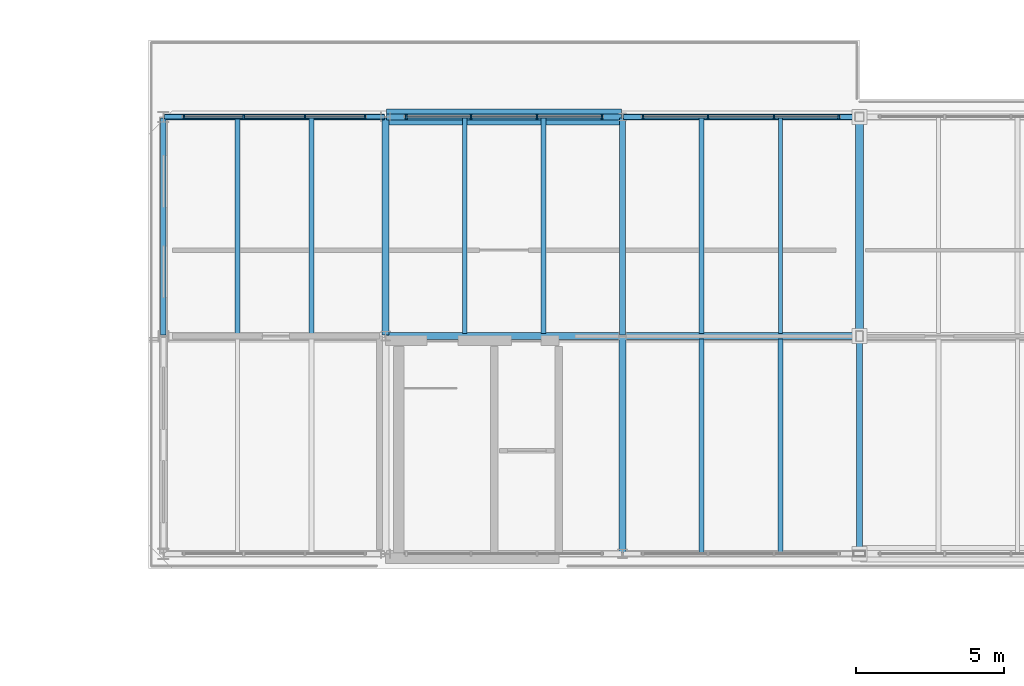
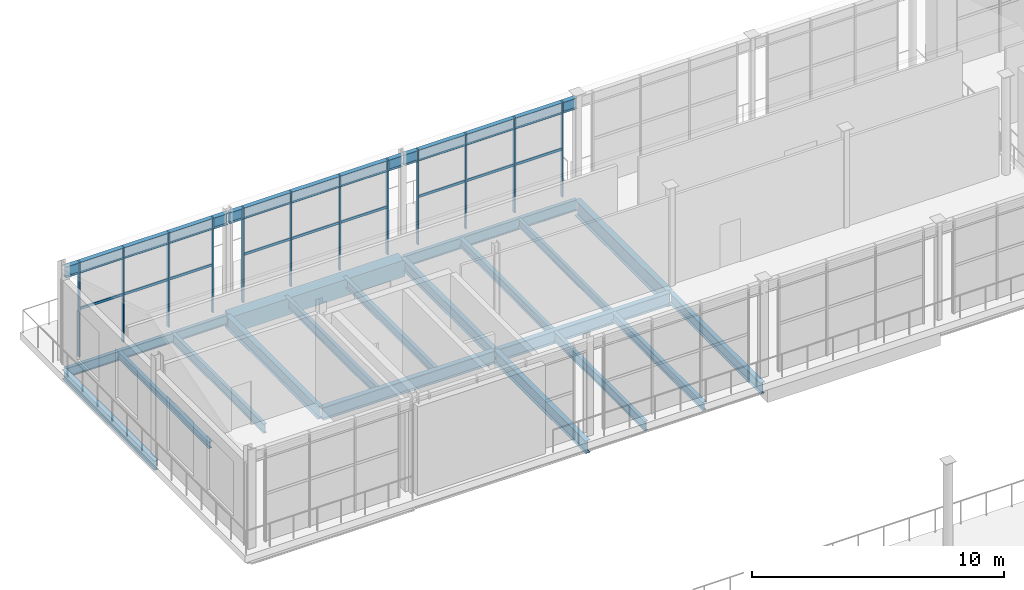
# One storey, part 43 of 93: 22 beams, 21 members, 3 elements without a shape of their own.
"""IFC4 building model written with IfcOpenShell, lengths in metres."""

from ifc_helpers import new_model, si_unit, direction, frame, origin, origin_2d, place, context, subcontext, project, spatial, rectangle, i_section, extrude, material, material_profile, profile_set, type_object, element, aggregate, save


model = new_model("IFC4")

# Units and contexts
model_context = context("Model", 3, precision=1e-05, world=origin(), true_north=direction((0.0, 1.0)))
body_context = subcontext(model_context, "Body", "Model", "MODEL_VIEW")
ifc_project = project(units=[si_unit("LENGTHUNIT", "METRE"), si_unit("AREAUNIT", "SQUARE_METRE"), si_unit("VOLUMEUNIT", "CUBIC_METRE"), si_unit("PLANEANGLEUNIT", "RADIAN"), si_unit("MASSUNIT", "GRAM", prefix="KILO")], contexts=[model_context])

# Site, building, storey
site_placement = place(None, origin())
site = spatial("IfcSite", under=ifc_project, at=site_placement, CompositionType="ELEMENT")
building_placement = place(site_placement, origin())
building = spatial("IfcBuilding", under=site, at=building_placement, Name="Brisemont Oceanarium", CompositionType="ELEMENT")
storey_placement = place(building_placement, frame((0.0, 0.0, 5.39990234375)))
storey = spatial("IfcBuildingStorey", under=building, at=storey_placement, Name="L01", CompositionType="ELEMENT", Elevation=5.39990234375)

# Beams
ifc_material_1 = material(Name="Concrete C40/50", Category="concrete")
ifc_material_profile_1 = material_profile(ifc_material_1, rectangle(XDim=0.550048828125, YDim=0.800048828125, at=origin_2d()), Name="RC-BM-550X800")
ifc_profile_set_1 = profile_set([ifc_material_profile_1], Name="Concrete C40/50")
beam_type_1 = type_object("IfcBeamType", Name="BM-RC550X800", PredefinedType="SPANDREL", material=ifc_profile_set_1)
beam_1_placement = place(storey_placement, frame((24.0400390625, 95.39990234375, -0.739990234375), z_axis=(1.0, 0.0, 0.0), x_axis=(0.0, 1.0, 0.0)))
element("IfcBeam", 1, at=beam_1_placement, inside=storey, type_object=beam_type_1, Name="V7W L01 EW girder", PredefinedType="SPANDREL", context=body_context, shape_type="SweptSolid", body=[
    extrude(rectangle(XDim=0.550048828125, YDim=0.800048828125, at=origin_2d()), origin(), (0.0, 0.0, 1.0), 7.919921875),
])
ifc_material_2 = material(Name="Structural Steel ASTM A992 Gr.50", Category="steel")
ifc_material_profile_2 = material_profile(ifc_material_2, i_section(OverallWidth=0.1650390625, OverallDepth=0.31005859375, WebThickness=0.005859375, FlangeThickness=0.009765625, FilletRadius=0.008056640625, at=origin_2d()), Name="W12X26")
ifc_profile_set_2 = profile_set([ifc_material_profile_2], Name="Structural Steel ASTM A992 Gr.50")
beam_type_2 = type_object("IfcBeamType", Name="BM-W12X26", PredefinedType="JOIST", material=ifc_profile_set_2)
beam_2_placement = place(storey_placement, frame((19.0, 88.090087890625, -0.494873046875), z_axis=(0.0, 1.0, 0.0), x_axis=(-1.0, 0.0, 0.0)))
element("IfcBeam", 2, at=beam_2_placement, inside=storey, type_object=beam_type_2, Name="V7W L01 secondary floor beam", PredefinedType="JOIST", context=body_context, shape_type="SweptSolid", body=[
    extrude(i_section(OverallWidth=0.1650390625, OverallDepth=0.31005859375, WebThickness=0.005859375, FlangeThickness=0.009765625, FilletRadius=0.008056640625, at=origin_2d()), origin(), (0.0, 0.0, 1.0), 7.27001953125),
])
ifc_material_3 = material(Name="Structural Steel ASTM A992 Gr.50", Category="steel")
ifc_material_profile_3 = material_profile(ifc_material_3, i_section(OverallWidth=0.139892578125, OverallDepth=0.39892578125, WebThickness=0.00634765625, FlangeThickness=0.0087890625, FilletRadius=0.010009765625, at=origin_2d()), Name="W16X26")
ifc_profile_set_3 = profile_set([ifc_material_profile_3], Name="Structural Steel ASTM A992 Gr.50")
beam_type_3 = type_object("IfcBeamType", Name="BM-W16X26", PredefinedType="JOIST", material=ifc_profile_set_3)
beam_3_placement = place(storey_placement, frame((37.333251953125, 88.090087890625, -0.539306640625), z_axis=(0.0, 1.0, 0.0), x_axis=(-1.0, 0.0, 0.0)))
element("IfcBeam", 3, at=beam_3_placement, inside=storey, type_object=beam_type_3, Name="V7W L01 secondary floor beam", PredefinedType="JOIST", context=body_context, shape_type="SweptSolid", body=[
    extrude(i_section(OverallWidth=0.139892578125, OverallDepth=0.39892578125, WebThickness=0.00634765625, FlangeThickness=0.0087890625, FilletRadius=0.010009765625, at=origin_2d()), origin(), (0.0, 0.0, 1.0), 7.27001953125),
])
ifc_material_4 = material(Name="Structural Steel ASTM A992 Gr.50", Category="steel")
ifc_material_profile_4 = material_profile(ifc_material_4, i_section(OverallWidth=0.177978515625, OverallDepth=0.404052734375, WebThickness=0.007568359375, FlangeThickness=0.010986328125, FilletRadius=0.010009765625, at=origin_2d()), Name="W16X36")
ifc_profile_set_4 = profile_set([ifc_material_profile_4], Name="Structural Steel ASTM A992 Gr.50")
beam_type_4 = type_object("IfcBeamType", Name="BM-W16X36", PredefinedType="JOIST", material=ifc_profile_set_4)
beam_4_placement = place(storey_placement, frame((29.333251953125, 88.090087890625, -0.5419921875), z_axis=(0.0, 1.0, 0.0), x_axis=(-1.0, 0.0, 0.0)))
element("IfcBeam", 4, at=beam_4_placement, inside=storey, type_object=beam_type_4, Name="V7W L01 secondary floor beam", PredefinedType="JOIST", context=body_context, shape_type="SweptSolid", body=[
    extrude(i_section(OverallWidth=0.177978515625, OverallDepth=0.404052734375, WebThickness=0.007568359375, FlangeThickness=0.010986328125, FilletRadius=0.010009765625, at=origin_2d()), origin(), (0.0, 0.0, 1.0), 7.27001953125),
])
beam_5_placement = place(storey_placement, frame((37.333251953125, 80.68994140625, -0.5419921875), z_axis=(0.0, 1.0, 0.0), x_axis=(-1.0, 0.0, 0.0)))
element("IfcBeam", 5, at=beam_5_placement, inside=storey, type_object=beam_type_4, Name="V7W L01 secondary floor beam", PredefinedType="JOIST", context=body_context, shape_type="SweptSolid", body=[
    extrude(i_section(OverallWidth=0.177978515625, OverallDepth=0.404052734375, WebThickness=0.007568359375, FlangeThickness=0.010986328125, FilletRadius=0.010009765625, at=origin_2d()), origin(), (0.0, 0.0, 1.0), 7.219970703125),
])
beam_6_placement = place(storey_placement, frame((34.666748046875, 88.090087890625, -0.5419921875), z_axis=(0.0, 1.0, 0.0), x_axis=(-1.0, 0.0, 0.0)))
element("IfcBeam", 6, at=beam_6_placement, inside=storey, type_object=beam_type_4, Name="V7W L01 secondary floor beam", PredefinedType="JOIST", context=body_context, shape_type="SweptSolid", body=[
    extrude(i_section(OverallWidth=0.177978515625, OverallDepth=0.404052734375, WebThickness=0.007568359375, FlangeThickness=0.010986328125, FilletRadius=0.010009765625, at=origin_2d()), origin(), (0.0, 0.0, 1.0), 7.27001953125),
])
ifc_material_5 = material(Name="Structural Steel ASTM A992 Gr.50", Category="steel")
ifc_material_profile_5 = material_profile(ifc_material_5, i_section(OverallWidth=0.153076171875, OverallDepth=0.455078125, WebThickness=0.008056640625, FlangeThickness=0.01318359375, FilletRadius=0.010986328125, at=origin_2d()), Name="W18X40")
ifc_profile_set_5 = profile_set([ifc_material_profile_5], Name="Structural Steel ASTM A992 Gr.50")
beam_type_5 = type_object("IfcBeamType", Name="BM-W18X40", PredefinedType="JOIST", material=ifc_profile_set_5)
for number, where, z_axis, x_axis, name in (
    (7, (21.5, 88.090087890625, -0.5673828125), (0.0, 1.0, 0.0), (-1.0, 0.0, 0.0), "V7W L01 secondary floor beam"),
    (8, (26.666748046875, 88.090087890625, -0.5673828125), (0.0, 1.0, 0.0), (-1.0, 0.0, 0.0), "V7W L01 secondary floor beam"),
):
    element("IfcBeam", number, at=place(storey_placement, frame(where, z_axis=z_axis, x_axis=x_axis)), inside=storey, type_object=beam_type_5, Name=name, PredefinedType="JOIST", context=body_context, shape_type="SweptSolid", body=[
        extrude(i_section(OverallWidth=0.153076171875, OverallDepth=0.455078125, WebThickness=0.008056640625, FlangeThickness=0.01318359375, FilletRadius=0.010986328125, at=origin_2d()), origin(), (0.0, 0.0, 1.0), 7.27001953125),
    ])
beam_7_placement = place(storey_placement, frame((34.666748046875, 80.68994140625, -0.5673828125), z_axis=(0.0, 1.0, 0.0), x_axis=(-1.0, 0.0, 0.0)))
element("IfcBeam", 9, at=beam_7_placement, inside=storey, type_object=beam_type_5, Name="V7W L01 secondary floor beam", PredefinedType="JOIST", context=body_context, shape_type="SweptSolid", body=[
    extrude(i_section(OverallWidth=0.153076171875, OverallDepth=0.455078125, WebThickness=0.008056640625, FlangeThickness=0.01318359375, FilletRadius=0.010986328125, at=origin_2d()), origin(), (0.0, 0.0, 1.0), 7.219970703125),
])
ifc_material_6 = material(Name="Structural Steel ASTM A992 Gr.50", Category="steel")
ifc_material_profile_6 = material_profile(ifc_material_6, i_section(OverallWidth=0.154052734375, OverallDepth=0.458984375, WebThickness=0.009033203125, FlangeThickness=0.015380859375, FilletRadius=0.010986328125, at=origin_2d()), Name="W18X46")
ifc_profile_set_6 = profile_set([ifc_material_profile_6], Name="Structural Steel ASTM A992 Gr.50")
beam_type_6 = type_object("IfcBeamType", Name="BM-W18X46", PredefinedType="SPANDREL", material=ifc_profile_set_6)
beam_8_placement = place(storey_placement, frame((16.5400390625, 95.39990234375, -0.5693359375), z_axis=(1.0, 0.0, 0.0), x_axis=(0.0, 1.0, 0.0)))
element("IfcBeam", 10, at=beam_8_placement, inside=storey, type_object=beam_type_6, Name="V7W L01 EW girder", PredefinedType="SPANDREL", context=body_context, shape_type="SweptSolid", body=[
    extrude(i_section(OverallWidth=0.154052734375, OverallDepth=0.458984375, WebThickness=0.009033203125, FlangeThickness=0.015380859375, FilletRadius=0.010986328125, at=origin_2d()), origin(), (0.0, 0.0, 1.0), 7.419921875),
])
ifc_material_7 = material(Name="Structural Steel ASTM A992 Gr.50", Category="steel")
ifc_material_profile_7 = material_profile(ifc_material_7, i_section(OverallWidth=0.19091796875, OverallDepth=0.4599609375, WebThickness=0.010009765625, FlangeThickness=0.01611328125, FilletRadius=0.010986328125, at=origin_2d()), Name="W18X55")
ifc_profile_set_7 = profile_set([ifc_material_profile_7], Name="Structural Steel ASTM A992 Gr.50")
beam_type_7 = type_object("IfcBeamType", Name="BM-W18X55", PredefinedType="SPANDREL", material=ifc_profile_set_7)
beam_9_placement = place(storey_placement, frame((16.5, 88.0400390625, -0.56982421875), z_axis=(0.0, 1.0, 0.0), x_axis=(-1.0, 0.0, 0.0)))
element("IfcBeam", 11, at=beam_9_placement, inside=storey, type_object=beam_type_7, Name="V7W L01 NS girder", PredefinedType="SPANDREL", context=body_context, shape_type="SweptSolid", body=[
    extrude(i_section(OverallWidth=0.19091796875, OverallDepth=0.4599609375, WebThickness=0.010009765625, FlangeThickness=0.01611328125, FilletRadius=0.010986328125, at=origin_2d()), origin(), (0.0, 0.0, 1.0), 7.320068359375),
])
ifc_material_8 = material(Name="Structural Steel ASTM A992 Gr.50", Category="steel")
ifc_material_profile_8 = material_profile(ifc_material_8, i_section(OverallWidth=0.166015625, OverallDepth=0.528076171875, WebThickness=0.009765625, FlangeThickness=0.013671875, FilletRadius=0.012939453125, at=origin_2d()), Name="W21X50")
ifc_profile_set_8 = profile_set([ifc_material_profile_8], Name="Structural Steel ASTM A992 Gr.50")
beam_type_8 = type_object("IfcBeamType", Name="BM-W21X50", PredefinedType="SPANDREL", material=ifc_profile_set_8)
beam_10_placement = place(storey_placement, frame((32.0400390625, 95.39990234375, -0.60400390625), z_axis=(1.0, 0.0, 0.0), x_axis=(0.0, 1.0, 0.0)))
element("IfcBeam", 12, at=beam_10_placement, inside=storey, type_object=beam_type_8, Name="V7W L01 EW girder", PredefinedType="SPANDREL", context=body_context, shape_type="SweptSolid", body=[
    extrude(i_section(OverallWidth=0.166015625, OverallDepth=0.528076171875, WebThickness=0.009765625, FlangeThickness=0.013671875, FilletRadius=0.012939453125, at=origin_2d()), origin(), (0.0, 0.0, 1.0), 7.919921875),
])
ifc_material_9 = material(Name="Structural Steel ASTM A992 Gr.50", Category="steel")
ifc_material_profile_9 = material_profile(ifc_material_9, i_section(OverallWidth=0.2099609375, OverallDepth=0.532958984375, WebThickness=0.01025390625, FlangeThickness=0.015625, FilletRadius=0.012939453125, at=origin_2d()), Name="W21X62")
ifc_profile_set_9 = profile_set([ifc_material_profile_9], Name="Structural Steel ASTM A992 Gr.50")
beam_type_9 = type_object("IfcBeamType", Name="BM-W21X62", PredefinedType="BEAM", material=ifc_profile_set_9)
beam_11_placement = place(storey_placement, frame((32.0, 88.0400390625, -0.6064453125), z_axis=(0.0, 1.0, 0.0), x_axis=(-1.0, 0.0, 0.0)))
element("IfcBeam", 13, at=beam_11_placement, inside=storey, type_object=beam_type_9, Name="V7W L01 NS girder", PredefinedType="BEAM", context=body_context, shape_type="SweptSolid", body=[
    extrude(i_section(OverallWidth=0.2099609375, OverallDepth=0.532958984375, WebThickness=0.01025390625, FlangeThickness=0.015625, FilletRadius=0.012939453125, at=origin_2d()), origin(), (0.0, 0.0, 1.0), 7.320068359375),
])
beam_12_placement = place(storey_placement, frame((40.0, 80.68994140625, -0.6064453125), z_axis=(0.0, 1.0, 0.0), x_axis=(-1.0, 0.0, 0.0)))
element("IfcBeam", 14, at=beam_12_placement, inside=storey, type_object=beam_type_9, Name="V7W L01 NS girder", PredefinedType="BEAM", context=body_context, shape_type="SweptSolid", body=[
    extrude(i_section(OverallWidth=0.2099609375, OverallDepth=0.532958984375, WebThickness=0.01025390625, FlangeThickness=0.015625, FilletRadius=0.012939453125, at=origin_2d()), origin(), (0.0, 0.0, 1.0), 7.27001953125),
])
beam_13_placement = place(storey_placement, frame((16.5400390625, 95.39990234375, 4.33349609375), z_axis=(1.0, 0.0, 0.0), x_axis=(0.0, 1.0, 0.0)))
element("IfcBeam", 15, at=beam_13_placement, inside=storey, type_object=beam_type_9, Name="V7W roof eave girder", PredefinedType="BEAM", context=body_context, shape_type="SweptSolid", body=[
    extrude(i_section(OverallWidth=0.2099609375, OverallDepth=0.532958984375, WebThickness=0.01025390625, FlangeThickness=0.015625, FilletRadius=0.012939453125, at=origin_2d()), origin(), (0.0, 0.0, 1.0), 7.419921875),
])
for number, where, z_axis, x_axis, name in (
    (16, (24.0400390625, 95.39990234375, 4.33349609375), (1.0, 0.0, 0.0), (0.0, 1.0, 0.0), "V7W roof eave girder"),
    (17, (32.0400390625, 95.39990234375, 4.33349609375), (1.0, 0.0, 0.0), (0.0, 1.0, 0.0), "V7W roof eave girder"),
):
    element("IfcBeam", number, at=place(storey_placement, frame(where, z_axis=z_axis, x_axis=x_axis)), inside=storey, type_object=beam_type_9, Name=name, PredefinedType="BEAM", context=body_context, shape_type="SweptSolid", body=[
        extrude(i_section(OverallWidth=0.2099609375, OverallDepth=0.532958984375, WebThickness=0.01025390625, FlangeThickness=0.015625, FilletRadius=0.012939453125, at=origin_2d()), origin(), (0.0, 0.0, 1.0), 7.919921875),
    ])
ifc_material_10 = material(Name="Structural Steel ASTM A992 Gr.50", Category="steel")
ifc_material_profile_10 = material_profile(ifc_material_10, i_section(OverallWidth=0.22802734375, OverallDepth=0.60205078125, WebThickness=0.010498046875, FlangeThickness=0.014892578125, FilletRadius=0.012939453125, at=origin_2d()), Name="W24X68")
ifc_profile_set_10 = profile_set([ifc_material_profile_10], Name="Structural Steel ASTM A992 Gr.50")
beam_type_10 = type_object("IfcBeamType", Name="BM-W24X68", PredefinedType="BEAM", material=ifc_profile_set_10)
beam_14_placement = place(storey_placement, frame((24.0, 88.0400390625, -0.640869140625), z_axis=(0.0, 1.0, 0.0), x_axis=(-1.0, 0.0, 0.0)))
element("IfcBeam", 18, at=beam_14_placement, inside=storey, type_object=beam_type_10, Name="V7W L01 NS girder", PredefinedType="BEAM", context=body_context, shape_type="SweptSolid", body=[
    extrude(i_section(OverallWidth=0.22802734375, OverallDepth=0.60205078125, WebThickness=0.010498046875, FlangeThickness=0.014892578125, FilletRadius=0.012939453125, at=origin_2d()), origin(), (0.0, 0.0, 1.0), 7.320068359375),
])
beam_15_placement = place(storey_placement, frame((32.0, 80.68994140625, -0.640869140625), z_axis=(0.0, 1.0, 0.0), x_axis=(-1.0, 0.0, 0.0)))
element("IfcBeam", 19, at=beam_15_placement, inside=storey, type_object=beam_type_10, Name="V7W L01 NS girder", PredefinedType="BEAM", context=body_context, shape_type="SweptSolid", body=[
    extrude(i_section(OverallWidth=0.22802734375, OverallDepth=0.60205078125, WebThickness=0.010498046875, FlangeThickness=0.014892578125, FilletRadius=0.012939453125, at=origin_2d()), origin(), (0.0, 0.0, 1.0), 7.27001953125),
])
ifc_material_11 = material(Name="Structural Steel ASTM A992 Gr.50", Category="steel")
ifc_material_profile_11 = material_profile(ifc_material_11, i_section(OverallWidth=0.22802734375, OverallDepth=0.60791015625, WebThickness=0.01123046875, FlangeThickness=0.017333984375, FilletRadius=0.012939453125, at=origin_2d()), Name="W24X76")
ifc_profile_set_11 = profile_set([ifc_material_profile_11], Name="Structural Steel ASTM A992 Gr.50")
beam_type_11 = type_object("IfcBeamType", Name="BM-W24X76", PredefinedType="BEAM", material=ifc_profile_set_11)
beam_16_placement = place(storey_placement, frame((32.0400390625, 88.0, -0.643798828125), z_axis=(1.0, 0.0, 0.0), x_axis=(0.0, 1.0, 0.0)))
element("IfcBeam", 20, at=beam_16_placement, inside=storey, type_object=beam_type_11, Name="V7W L01 EW girder", PredefinedType="BEAM", context=body_context, shape_type="SweptSolid", body=[
    extrude(i_section(OverallWidth=0.22802734375, OverallDepth=0.60791015625, WebThickness=0.01123046875, FlangeThickness=0.017333984375, FilletRadius=0.012939453125, at=origin_2d()), origin(), (0.0, 0.0, 1.0), 7.919921875),
])
ifc_material_12 = material(Name="Structural Steel ASTM A992 Gr.50", Category="steel")
ifc_material_profile_12 = material_profile(ifc_material_12, i_section(OverallWidth=0.22900390625, OverallDepth=0.612060546875, WebThickness=0.011962890625, FlangeThickness=0.01953125, FilletRadius=0.012939453125, at=origin_2d()), Name="W24X84")
ifc_profile_set_12 = profile_set([ifc_material_profile_12], Name="Structural Steel ASTM A992 Gr.50")
beam_type_12 = type_object("IfcBeamType", Name="BM-W24X84", PredefinedType="BEAM", material=ifc_profile_set_12)
beam_17_placement = place(storey_placement, frame((24.0400390625, 88.0, -0.64599609375), z_axis=(1.0, 0.0, 0.0), x_axis=(0.0, 1.0, 0.0)))
element("IfcBeam", 21, at=beam_17_placement, inside=storey, type_object=beam_type_12, Name="V7W L01 EW girder", PredefinedType="BEAM", context=body_context, shape_type="SweptSolid", body=[
    extrude(i_section(OverallWidth=0.22900390625, OverallDepth=0.612060546875, WebThickness=0.011962890625, FlangeThickness=0.01953125, FilletRadius=0.012939453125, at=origin_2d()), origin(), (0.0, 0.0, 1.0), 7.919921875),
])
ifc_material_13 = material(Name="Structural Steel ASTM A992 Gr.50", Category="steel")
ifc_material_profile_13 = material_profile(ifc_material_13, i_section(OverallWidth=0.26708984375, OverallDepth=0.761962890625, WebThickness=0.014404296875, FlangeThickness=0.021484375, FilletRadius=0.01611328125, at=origin_2d()), Name="W30X116")
ifc_profile_set_13 = profile_set([ifc_material_profile_13], Name="Structural Steel ASTM A992 Gr.50")
beam_type_13 = type_object("IfcBeamType", Name="BM-W30X116", PredefinedType="BEAM", material=ifc_profile_set_13)
beam_18_placement = place(storey_placement, frame((40.0, 88.0400390625, -0.720947265625), z_axis=(0.0, 1.0, 0.0), x_axis=(-1.0, 0.0, 0.0)))
element("IfcBeam", 22, at=beam_18_placement, inside=storey, type_object=beam_type_13, Name="V7W L01 NS girder", PredefinedType="BEAM", context=body_context, shape_type="SweptSolid", body=[
    extrude(i_section(OverallWidth=0.26708984375, OverallDepth=0.761962890625, WebThickness=0.014404296875, FlangeThickness=0.021484375, FilletRadius=0.01611328125, at=origin_2d()), origin(), (0.0, 0.0, 1.0), 7.320068359375),
])

# Curtain wall, members
ifc_material_14 = material(Name="Anodized Extruded Aluminum 6063-T6", Category="aluminium")
curtain_wall_type = type_object("IfcCurtainWallType", Name="CW-CLR-58X36", PredefinedType="NOTDEFINED", material=ifc_material_14)
curtain_wall_1_placement = place(storey_placement, origin())
curtain_wall_1 = element("IfcCurtainWall", 23, at=curtain_wall_1_placement, inside=storey, type_object=curtain_wall_type, Name="CW-21 curtain wall CW-V7W-N-L01-01", PredefinedType="NOTDEFINED")
ifc_material_15 = material(Name="Anodized Extruded Aluminum 6063-T6", Category="aluminium")
ifc_material_profile_14 = material_profile(ifc_material_15, rectangle(XDim=0.06005859375, YDim=0.14990234375, at=origin_2d()), Name="CWM-60X150")
ifc_profile_set_14 = profile_set([ifc_material_profile_14], Name="Anodized Extruded Aluminum 6063-T6")
member_type_1 = type_object("IfcMemberType", Name="MEM-CWM-60", PredefinedType="MULLION", material=ifc_profile_set_14)
member_1_placement = place(storey_placement, frame((17.195068359375, 95.39990234375, 0.0), z_axis=(0.0, 0.0, 1.0), x_axis=(1.0, 0.0, 0.0)))
member_1 = element("IfcMember", 24, at=member_1_placement, type_object=member_type_1, Name="CW-V7W-N-L01-01 mullion 1", PredefinedType="MULLION", context=body_context, shape_type="SweptSolid", body=[
    extrude(rectangle(XDim=0.06005859375, YDim=0.14990234375, at=origin_2d()), origin(), (0.0, 0.0, 1.0), 4.60009765625),
])
member_2_placement = place(storey_placement, frame((19.216796875, 95.39990234375, 0.0), z_axis=(0.0, 0.0, 1.0), x_axis=(1.0, 0.0, 0.0)))
member_2 = element("IfcMember", 25, at=member_2_placement, type_object=member_type_1, Name="CW-V7W-N-L01-01 mullion 2", PredefinedType="MULLION", context=body_context, shape_type="SweptSolid", body=[
    extrude(rectangle(XDim=0.06005859375, YDim=0.14990234375, at=origin_2d()), origin(), (0.0, 0.0, 1.0), 4.60009765625),
])
member_3_placement = place(storey_placement, frame((21.283203125, 95.39990234375, 0.0), z_axis=(0.0, 0.0, 1.0), x_axis=(1.0, 0.0, 0.0)))
member_3 = element("IfcMember", 26, at=member_3_placement, type_object=member_type_1, Name="CW-V7W-N-L01-01 mullion 3", PredefinedType="MULLION", context=body_context, shape_type="SweptSolid", body=[
    extrude(rectangle(XDim=0.06005859375, YDim=0.14990234375, at=origin_2d()), origin(), (0.0, 0.0, 1.0), 4.60009765625),
])
member_4_placement = place(storey_placement, frame((23.304931640625, 95.39990234375, 0.0), z_axis=(0.0, 0.0, 1.0), x_axis=(1.0, 0.0, 0.0)))
member_4 = element("IfcMember", 27, at=member_4_placement, type_object=member_type_1, Name="CW-V7W-N-L01-01 mullion 4", PredefinedType="MULLION", context=body_context, shape_type="SweptSolid", body=[
    extrude(rectangle(XDim=0.06005859375, YDim=0.14990234375, at=origin_2d()), origin(), (0.0, 0.0, 1.0), 4.60009765625),
])

curtain_wall_2_placement = place(storey_placement, origin())
curtain_wall_2 = element("IfcCurtainWall", 28, at=curtain_wall_2_placement, inside=storey, type_object=curtain_wall_type, Name="CW-21 curtain wall CW-V7W-N-L01-02", PredefinedType="NOTDEFINED")
member_5_placement = place(storey_placement, frame((24.695068359375, 95.39990234375, 0.0), z_axis=(0.0, 0.0, 1.0), x_axis=(1.0, 0.0, 0.0)))
member_5 = element("IfcMember", 29, at=member_5_placement, type_object=member_type_1, Name="CW-V7W-N-L01-02 mullion 1", PredefinedType="MULLION", context=body_context, shape_type="SweptSolid", body=[
    extrude(rectangle(XDim=0.06005859375, YDim=0.14990234375, at=origin_2d()), origin(), (0.0, 0.0, 1.0), 4.60009765625),
])
member_6_placement = place(storey_placement, frame((26.88330078125, 95.39990234375, 0.0), z_axis=(0.0, 0.0, 1.0), x_axis=(1.0, 0.0, 0.0)))
member_6 = element("IfcMember", 30, at=member_6_placement, type_object=member_type_1, Name="CW-V7W-N-L01-02 mullion 2", PredefinedType="MULLION", context=body_context, shape_type="SweptSolid", body=[
    extrude(rectangle(XDim=0.06005859375, YDim=0.14990234375, at=origin_2d()), origin(), (0.0, 0.0, 1.0), 4.60009765625),
])
member_7_placement = place(storey_placement, frame((29.11669921875, 95.39990234375, 0.0), z_axis=(0.0, 0.0, 1.0), x_axis=(1.0, 0.0, 0.0)))
member_7 = element("IfcMember", 31, at=member_7_placement, type_object=member_type_1, Name="CW-V7W-N-L01-02 mullion 3", PredefinedType="MULLION", context=body_context, shape_type="SweptSolid", body=[
    extrude(rectangle(XDim=0.06005859375, YDim=0.14990234375, at=origin_2d()), origin(), (0.0, 0.0, 1.0), 4.60009765625),
])
member_8_placement = place(storey_placement, frame((31.304931640625, 95.39990234375, 0.0), z_axis=(0.0, 0.0, 1.0), x_axis=(1.0, 0.0, 0.0)))
member_8 = element("IfcMember", 32, at=member_8_placement, type_object=member_type_1, Name="CW-V7W-N-L01-02 mullion 4", PredefinedType="MULLION", context=body_context, shape_type="SweptSolid", body=[
    extrude(rectangle(XDim=0.06005859375, YDim=0.14990234375, at=origin_2d()), origin(), (0.0, 0.0, 1.0), 4.60009765625),
])

curtain_wall_3_placement = place(storey_placement, origin())
curtain_wall_3 = element("IfcCurtainWall", 33, at=curtain_wall_3_placement, inside=storey, type_object=curtain_wall_type, Name="CW-21 curtain wall CW-V7W-N-L01-03", PredefinedType="NOTDEFINED")
member_9_placement = place(storey_placement, frame((32.695068359375, 95.39990234375, 0.0), z_axis=(0.0, 0.0, 1.0), x_axis=(1.0, 0.0, 0.0)))
member_9 = element("IfcMember", 34, at=member_9_placement, type_object=member_type_1, Name="CW-V7W-N-L01-03 mullion 1", PredefinedType="MULLION", context=body_context, shape_type="SweptSolid", body=[
    extrude(rectangle(XDim=0.06005859375, YDim=0.14990234375, at=origin_2d()), origin(), (0.0, 0.0, 1.0), 4.60009765625),
])
member_10_placement = place(storey_placement, frame((34.88330078125, 95.39990234375, 0.0), z_axis=(0.0, 0.0, 1.0), x_axis=(1.0, 0.0, 0.0)))
member_10 = element("IfcMember", 35, at=member_10_placement, type_object=member_type_1, Name="CW-V7W-N-L01-03 mullion 2", PredefinedType="MULLION", context=body_context, shape_type="SweptSolid", body=[
    extrude(rectangle(XDim=0.06005859375, YDim=0.14990234375, at=origin_2d()), origin(), (0.0, 0.0, 1.0), 4.60009765625),
])
member_11_placement = place(storey_placement, frame((37.11669921875, 95.39990234375, 0.0), z_axis=(0.0, 0.0, 1.0), x_axis=(1.0, 0.0, 0.0)))
member_11 = element("IfcMember", 36, at=member_11_placement, type_object=member_type_1, Name="CW-V7W-N-L01-03 mullion 3", PredefinedType="MULLION", context=body_context, shape_type="SweptSolid", body=[
    extrude(rectangle(XDim=0.06005859375, YDim=0.14990234375, at=origin_2d()), origin(), (0.0, 0.0, 1.0), 4.60009765625),
])
member_12_placement = place(storey_placement, frame((39.304931640625, 95.39990234375, 0.0), z_axis=(0.0, 0.0, 1.0), x_axis=(1.0, 0.0, 0.0)))
member_12 = element("IfcMember", 37, at=member_12_placement, type_object=member_type_1, Name="CW-V7W-N-L01-03 mullion 4", PredefinedType="MULLION", context=body_context, shape_type="SweptSolid", body=[
    extrude(rectangle(XDim=0.06005859375, YDim=0.14990234375, at=origin_2d()), origin(), (0.0, 0.0, 1.0), 4.60009765625),
])

# Member
ifc_material_16 = material(Name="Anodized Extruded Aluminum 6063-T6", Category="aluminium")
ifc_material_profile_15 = material_profile(ifc_material_16, rectangle(XDim=0.06005859375, YDim=0.1201171875, at=origin_2d()), Name="CWT-60X120")
ifc_profile_set_15 = profile_set([ifc_material_profile_15], Name="Anodized Extruded Aluminum 6063-T6")
member_type_2 = type_object("IfcMemberType", Name="MEM-CWT-60", PredefinedType="USERDEFINED", material=ifc_profile_set_15)
member_13_placement = place(storey_placement, frame((17.1650390625, 95.39990234375, 2.300048828125), z_axis=(1.0, 0.0, 0.0), x_axis=(0.0, 1.0, 0.0)))
member_13 = element("IfcMember", 38, at=member_13_placement, type_object=member_type_2, Name="CW-V7W-N-L01-01 transom 1.1", ObjectType="TRANSOM", PredefinedType="USERDEFINED", context=body_context, shape_type="SweptSolid", body=[
    extrude(rectangle(XDim=0.06005859375, YDim=0.1201171875, at=origin_2d()), origin(), (0.0, 0.0, 1.0), 2.03662109375),
])

member_14_placement = place(storey_placement, frame((19.231689453125, 95.39990234375, 2.300048828125), z_axis=(1.0, 0.0, 0.0), x_axis=(0.0, 1.0, 0.0)))
member_14 = element("IfcMember", 39, at=member_14_placement, type_object=member_type_2, Name="CW-V7W-N-L01-01 transom 2.1", ObjectType="TRANSOM", PredefinedType="USERDEFINED", context=body_context, shape_type="SweptSolid", body=[
    extrude(rectangle(XDim=0.06005859375, YDim=0.1201171875, at=origin_2d()), origin(), (0.0, 0.0, 1.0), 2.03662109375),
])

member_15_placement = place(storey_placement, frame((21.29833984375, 95.39990234375, 2.300048828125), z_axis=(1.0, 0.0, 0.0), x_axis=(0.0, 1.0, 0.0)))
member_15 = element("IfcMember", 40, at=member_15_placement, type_object=member_type_2, Name="CW-V7W-N-L01-01 transom 3.1", ObjectType="TRANSOM", PredefinedType="USERDEFINED", context=body_context, shape_type="SweptSolid", body=[
    extrude(rectangle(XDim=0.06005859375, YDim=0.1201171875, at=origin_2d()), origin(), (0.0, 0.0, 1.0), 2.03662109375),
])

aggregate(curtain_wall_1, [member_1, member_2, member_3, member_4, member_13, member_14, member_15])

member_16_placement = place(storey_placement, frame((24.6650390625, 95.39990234375, 2.300048828125), z_axis=(1.0, 0.0, 0.0), x_axis=(0.0, 1.0, 0.0)))
member_16 = element("IfcMember", 41, at=member_16_placement, type_object=member_type_2, Name="CW-V7W-N-L01-02 transom 1.1", ObjectType="TRANSOM", PredefinedType="USERDEFINED", context=body_context, shape_type="SweptSolid", body=[
    extrude(rectangle(XDim=0.06005859375, YDim=0.1201171875, at=origin_2d()), origin(), (0.0, 0.0, 1.0), 2.203369140625),
])

member_17_placement = place(storey_placement, frame((26.898193359375, 95.39990234375, 2.300048828125), z_axis=(1.0, 0.0, 0.0), x_axis=(0.0, 1.0, 0.0)))
member_17 = element("IfcMember", 42, at=member_17_placement, type_object=member_type_2, Name="CW-V7W-N-L01-02 transom 2.1", ObjectType="TRANSOM", PredefinedType="USERDEFINED", context=body_context, shape_type="SweptSolid", body=[
    extrude(rectangle(XDim=0.06005859375, YDim=0.1201171875, at=origin_2d()), origin(), (0.0, 0.0, 1.0), 2.20361328125),
])

member_18_placement = place(storey_placement, frame((29.131591796875, 95.39990234375, 2.300048828125), z_axis=(1.0, 0.0, 0.0), x_axis=(0.0, 1.0, 0.0)))
member_18 = element("IfcMember", 43, at=member_18_placement, type_object=member_type_2, Name="CW-V7W-N-L01-02 transom 3.1", ObjectType="TRANSOM", PredefinedType="USERDEFINED", context=body_context, shape_type="SweptSolid", body=[
    extrude(rectangle(XDim=0.06005859375, YDim=0.1201171875, at=origin_2d()), origin(), (0.0, 0.0, 1.0), 2.203369140625),
])

aggregate(curtain_wall_2, [member_5, member_6, member_7, member_8, member_16, member_17, member_18])

member_19_placement = place(storey_placement, frame((32.6650390625, 95.39990234375, 2.300048828125), z_axis=(1.0, 0.0, 0.0), x_axis=(0.0, 1.0, 0.0)))
member_19 = element("IfcMember", 44, at=member_19_placement, type_object=member_type_2, Name="CW-V7W-N-L01-03 transom 1.1", ObjectType="TRANSOM", PredefinedType="USERDEFINED", context=body_context, shape_type="SweptSolid", body=[
    extrude(rectangle(XDim=0.06005859375, YDim=0.1201171875, at=origin_2d()), origin(), (0.0, 0.0, 1.0), 2.203369140625),
])

member_20_placement = place(storey_placement, frame((34.898193359375, 95.39990234375, 2.300048828125), z_axis=(1.0, 0.0, 0.0), x_axis=(0.0, 1.0, 0.0)))
member_20 = element("IfcMember", 45, at=member_20_placement, type_object=member_type_2, Name="CW-V7W-N-L01-03 transom 2.1", ObjectType="TRANSOM", PredefinedType="USERDEFINED", context=body_context, shape_type="SweptSolid", body=[
    extrude(rectangle(XDim=0.06005859375, YDim=0.1201171875, at=origin_2d()), origin(), (0.0, 0.0, 1.0), 2.20361328125),
])

member_21_placement = place(storey_placement, frame((37.131591796875, 95.39990234375, 2.300048828125), z_axis=(1.0, 0.0, 0.0), x_axis=(0.0, 1.0, 0.0)))
member_21 = element("IfcMember", 46, at=member_21_placement, type_object=member_type_2, Name="CW-V7W-N-L01-03 transom 3.1", ObjectType="TRANSOM", PredefinedType="USERDEFINED", context=body_context, shape_type="SweptSolid", body=[
    extrude(rectangle(XDim=0.06005859375, YDim=0.1201171875, at=origin_2d()), origin(), (0.0, 0.0, 1.0), 2.203369140625),
])

aggregate(curtain_wall_3, [member_9, member_10, member_11, member_12, member_19, member_20, member_21])

save(model, "model.ifc")
